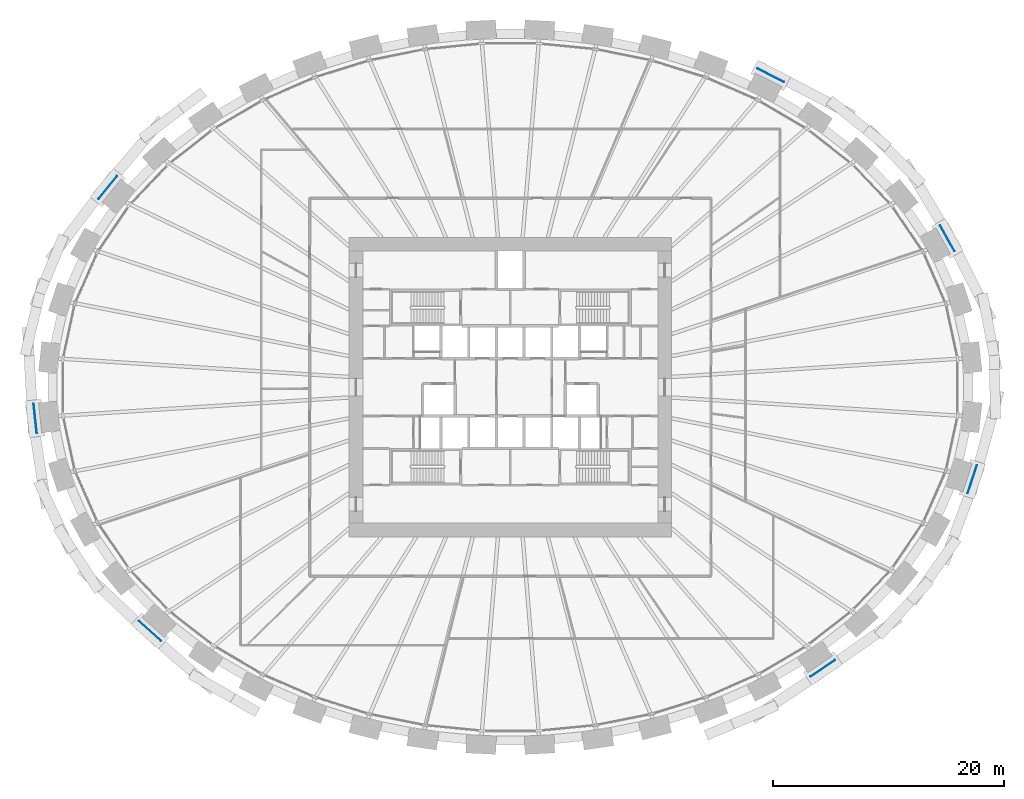
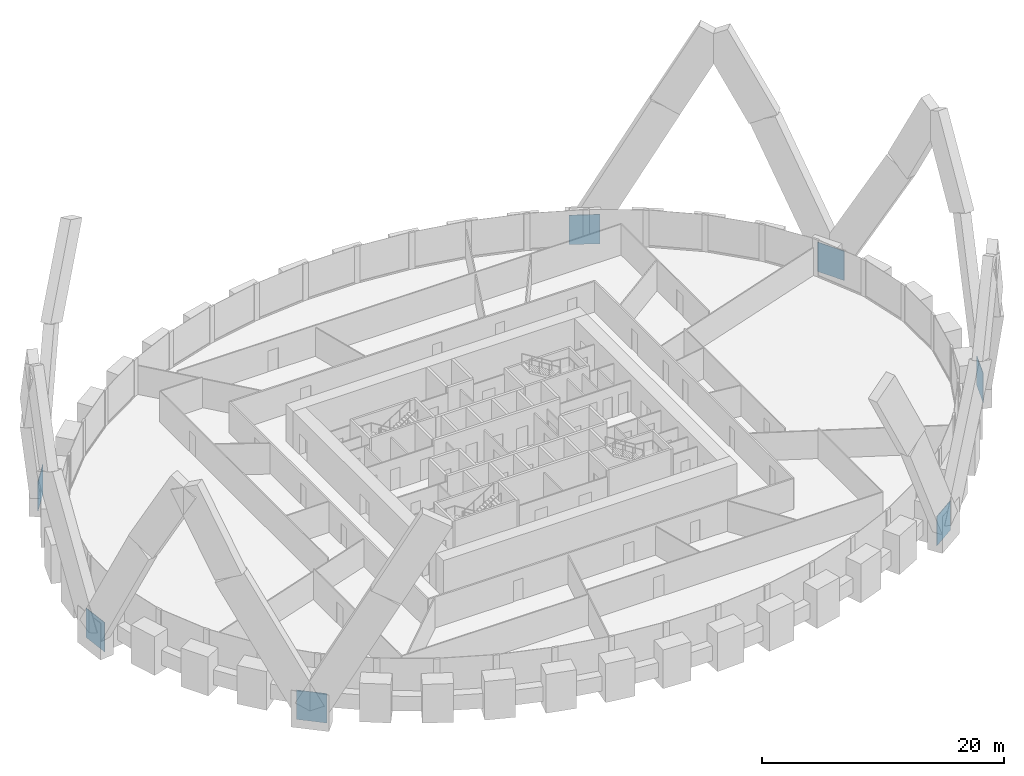
# One storey, part 11 of 12: 7 discrete accessories.
"""IFC4 building model written with IfcOpenShell, lengths in metres."""

from ifc_helpers import new_model, si_unit, direction, frame, origin, origin_2d, place, context, subcontext, project, spatial, rectangle, extrude, source, transform, mapped, material, type_object, element, save


model = new_model("IFC4")

# Units and contexts
model_context = context("Model", 3, precision=1e-05, world=origin(), true_north=direction((0.0, 1.0)))
body_context = subcontext(model_context, "Body", "Model", "MODEL_VIEW")
ifc_project = project(units=[si_unit("LENGTHUNIT", "METRE"), si_unit("AREAUNIT", "SQUARE_METRE"), si_unit("VOLUMEUNIT", "CUBIC_METRE"), si_unit("PLANEANGLEUNIT", "RADIAN"), si_unit("MASSUNIT", "GRAM", prefix="KILO")], contexts=[model_context])

# Site, building, storey
site_placement = place(None, origin())
site = spatial("IfcSite", under=ifc_project, at=site_placement, CompositionType="ELEMENT")
building_placement = place(site_placement, origin())
building = spatial("IfcBuilding", under=site, at=building_placement, Name="Embergate Tower", CompositionType="ELEMENT")
storey_placement = place(building_placement, frame((0.0, 0.0, 45.800048828125)))
storey = spatial("IfcBuildingStorey", under=building, at=storey_placement, Name="L07", CompositionType="ELEMENT", Elevation=45.800048828125)

# Discrete accessories
ifc_material = material(Name="Steel Q355D plate", Category="steel")
discrete_accessory_type = type_object("IfcDiscreteAccessoryType", Name="Lattice node plate", PredefinedType="USERDEFINED", material=ifc_material)
shared_shape = source(origin(), body_context, "Body", "SweptSolid", [
    extrude(rectangle(XDim=2.56005859375, YDim=0.050048828125, at=origin_2d()), origin(), (0.0, 0.0, 1.0), 2.9599609375),
])
for number, where, z_axis, x_axis, name in (
    (1, (37.919921875, 12.907958984375, -1.47998046875), (0.0, 0.0, 1.0), (-0.486838556403, 0.873491969053, 0.0), "Node plate"),
    (2, (22.596923828125, 27.051025390625, -1.47998046875), (0.0, 0.0, 1.0), (-0.891513080478, 0.452994952881, 0.0), "Node plate"),
    (3, (-34.919921875, 17.320068359375, -1.47998046875), (0.0, 0.0, 1.0), (-0.630838328377, -0.775914301615, 0.0), "Node plate"),
    (4, (-41.212890625, -2.7060546875, -1.47998046875), (0.0, 0.0, 1.0), (0.106749983816, -0.99428589498, 0.0), "Node plate"),
    (5, (-31.262939453125, -21.155029296875, -1.47998046875), (0.0, 0.0, 1.0), (0.74307475021, -0.669208424634, 0.0), "Node plate"),
    (6, (27.113037109375, -24.39501953125, -1.47998046875), (0.0, 0.0, 1.0), (0.828226643109, 0.560393279442, 0.0), "Node plate"),
    (7, (40.076904296875, -7.987060546875, -1.47998046875), (0.0, 0.0, 1.0), (0.309946394413, 0.950754033697, 0.0), "Node plate"),
):
    element("IfcDiscreteAccessory", number, at=place(storey_placement, frame(where, z_axis=z_axis, x_axis=x_axis)), inside=storey, type_object=discrete_accessory_type, Name=name, ObjectType="BRACKET", PredefinedType="USERDEFINED", context=body_context, shape_type="MappedRepresentation", body=[
        mapped(shared_shape, transform((0.0, 0.0, 0.0))),
    ])

save(model, "model.ifc")
